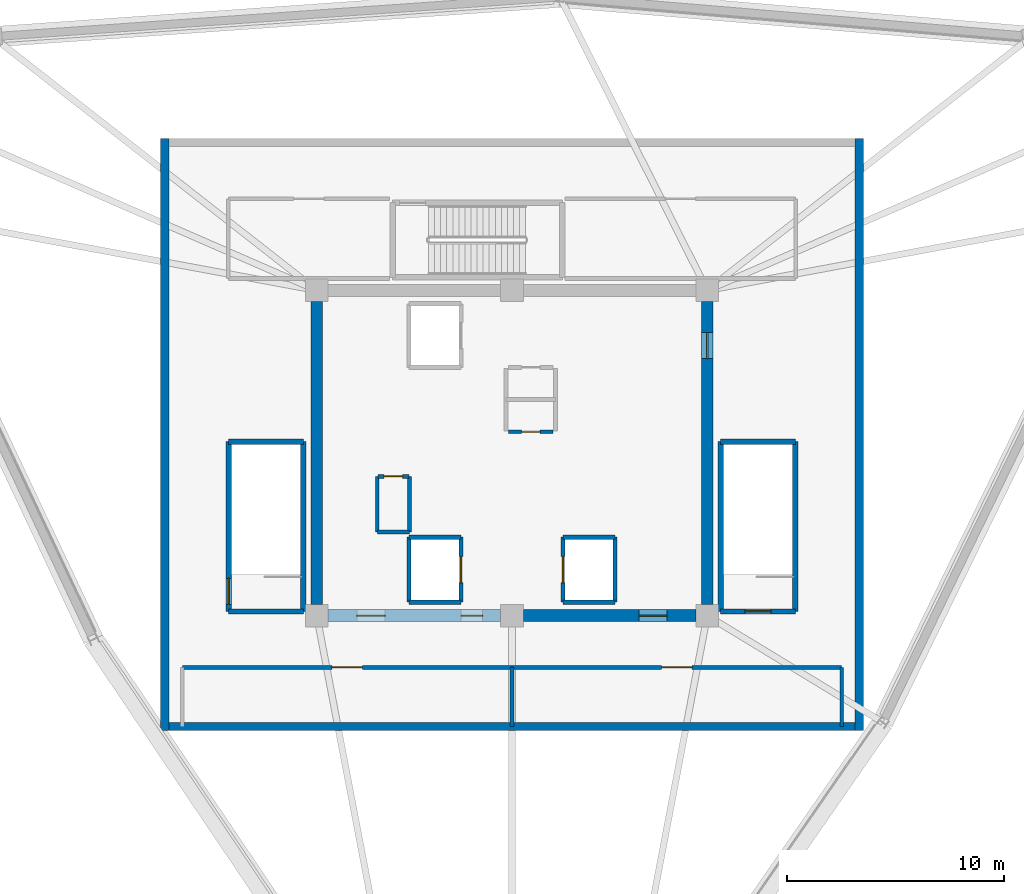
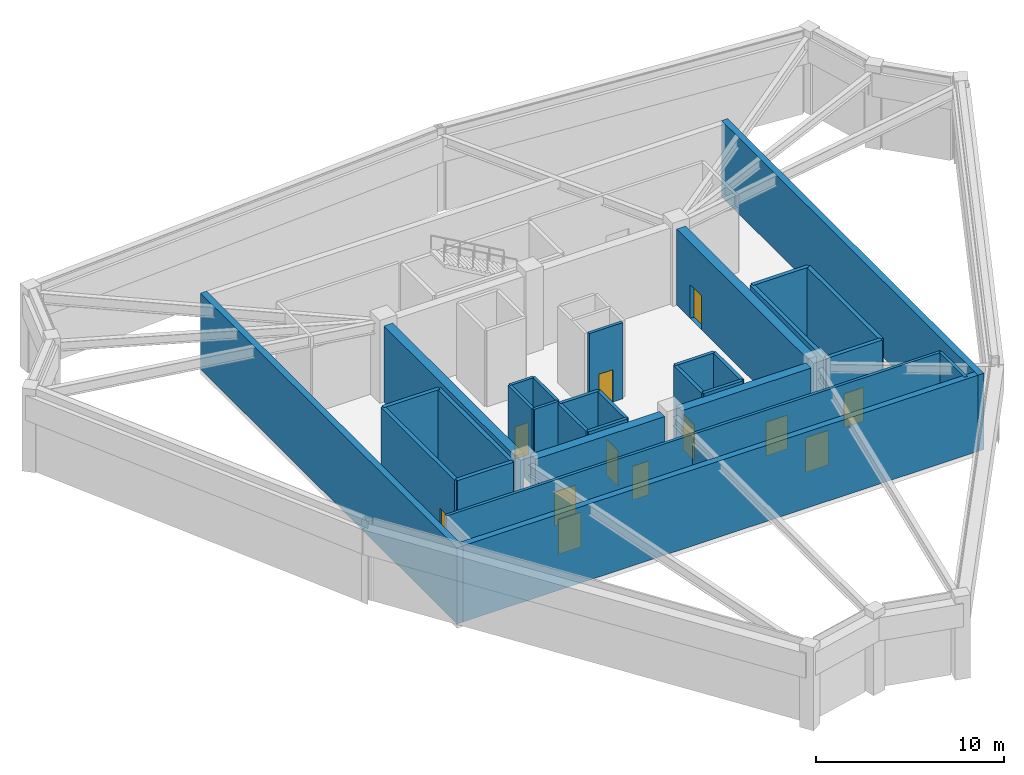
# One storey, part 4 of 6: 32 walls, 12 doors, 12 openings.
"""IFC4 building model written with IfcOpenShell, lengths in metres."""

from ifc_helpers import new_model, si_unit, direction, frame, frame_2d, origin, place, context, subcontext, project, spatial, rectangle, extrude, source, transform, mapped, material, layer, layer_set, type_object, element, fill, save


model = new_model("IFC4")

# Units and contexts
model_context = context("Model", 3, precision=1e-05, world=origin(), true_north=direction((0.0, 1.0)))
body_context = subcontext(model_context, "Body", "Model", "MODEL_VIEW")
ifc_project = project(units=[si_unit("LENGTHUNIT", "METRE"), si_unit("AREAUNIT", "SQUARE_METRE"), si_unit("VOLUMEUNIT", "CUBIC_METRE"), si_unit("PLANEANGLEUNIT", "RADIAN"), si_unit("MASSUNIT", "GRAM", prefix="KILO")], contexts=[model_context])

# Site, building, storey
site_placement = place(None, origin())
site = spatial("IfcSite", under=ifc_project, at=site_placement, CompositionType="ELEMENT")
building_placement = place(site_placement, origin())
building = spatial("IfcBuilding", under=site, at=building_placement, Name="Liaohun Quay Tower", CompositionType="ELEMENT")
storey_placement = place(building_placement, frame((0.0, 0.0, 366.0)))
storey = spatial("IfcBuildingStorey", under=building, at=storey_placement, Name="L94", CompositionType="ELEMENT", Elevation=366.0)

# Wall, opening, door
ifc_material_1 = material(Name="Concrete C50", Category="concrete")
ifc_layer_1 = layer(ifc_material_1, 0.550048828125, Name="Concrete C50", Category="concrete")
ifc_layer_set_1 = layer_set([ifc_layer_1], Name="Concrete C50")
wall_type_1 = type_object("IfcWallType", Name="WAL-COR-Z4", PredefinedType="SHEAR", material=ifc_layer_set_1)
wall_1_placement = place(storey_placement, frame((69.0, 60.97509765625, 0.0), z_axis=(0.0, 0.0, 1.0), x_axis=(0.0, -1.0, 0.0)))
wall_1 = element("IfcWall", 1, at=wall_1_placement, inside=storey, type_object=wall_type_1, Name="L94 Central Core Shear Wall E", PredefinedType="SHEAR", context=body_context, shape_type="SweptSolid", body=[
    extrude(rectangle(XDim=13.9501953125, YDim=0.550048828125, at=frame_2d((6.97509765625, 0.0))), origin(), (0.0, 0.0, 1.0), 4.949951171875),
])
shared_shape_1 = source(origin(), body_context, "Body", "SweptSolid", [
    extrude(rectangle(XDim=1.199951171875, YDim=2.199951171875, at=frame_2d((0.60009765625, 1.10009765625))), frame((0.0, 0.284912109375, 0.0), z_axis=(0.0, -1.0, 0.0), x_axis=(1.0, 0.0, 0.0)), (0.0, 0.0, 1.0), 0.570068359375),
])
opening_1_placement = place(wall_1_placement, frame((1.425048828125, 0.0, 0.0)))
opening_1 = element("IfcOpeningElement", 2, at=opening_1_placement, cuts=wall_1, Name="Opening SD1", PredefinedType="OPENING", context=body_context, shape_type="MappedRepresentation", body=[
    mapped(shared_shape_1, transform((0.0, 0.0, 0.0), x_axis=(1.0, 0.0, 0.0), y_axis=(0.0, 1.0, 0.0), z_axis=(0.0, 0.0, 1.0), scale=1.0)),
])
ifc_material_2 = material(Name="Galvanised steel fire door", Category="steel")
door_type_1 = type_object("IfcDoorType", Name="DOR-STR-1200", OperationType="NOTDEFINED", PredefinedType="DOOR", material=ifc_material_2)
shared_shape_2 = source(origin(), body_context, "Body", "SweptSolid", [
    extrude(rectangle(XDim=1.199951171875, YDim=2.199951171875, at=frame_2d((0.60009765625, 1.10009765625))), frame((0.0, 0.02490234375, 0.0), z_axis=(0.0, -1.0, 0.0), x_axis=(1.0, 0.0, 0.0)), (0.0, 0.0, 1.0), 0.050048828125),
])
door_1_placement = place(opening_1_placement, origin())
door_1 = element("IfcDoor", 3, at=door_1_placement, inside=storey, type_object=door_type_1, Name="L94 North-East Core Lobby Smokeproof Door", OperationType="SINGLE_SWING_LEFT", OverallHeight=2.199951171875, OverallWidth=1.199951171875, PredefinedType="DOOR", context=body_context, shape_type="MappedRepresentation", body=[
    mapped(shared_shape_2, transform((0.0, 0.0, 0.0), x_axis=(1.0, 0.0, 0.0), y_axis=(0.0, 1.0, 0.0), z_axis=(0.0, 0.0, 1.0), scale=1.0)),
])
fill(opening_1, door_1)

wall_2_placement = place(storey_placement, frame((68.47509765625, 46.5, 0.0), z_axis=(0.0, 0.0, 1.0), x_axis=(-1.0, 0.0, 0.0)))
wall_2 = element("IfcWall", 4, at=wall_2_placement, inside=storey, type_object=wall_type_1, Name="L94 Central Core Shear Wall S-E", PredefinedType="SHEAR", context=body_context, shape_type="SweptSolid", body=[
    extrude(rectangle(XDim=7.9501953125, YDim=0.550048828125, at=frame_2d((3.97509765625, 0.0))), origin(), (0.0, 0.0, 1.0), 4.949951171875),
])
shared_shape_3 = source(origin(), body_context, "Body", "SweptSolid", [
    extrude(rectangle(XDim=1.300048828125, YDim=2.199951171875, at=frame_2d((0.64990234375, 1.10009765625))), frame((0.0, 0.284912109375, 0.0), z_axis=(0.0, -1.0, 0.0), x_axis=(1.0, 0.0, 0.0)), (0.0, 0.0, 1.0), 0.570068359375),
])
opening_2_placement = place(wall_2_placement, frame((1.324951171875, 0.0, 0.0)))
opening_2 = element("IfcOpeningElement", 5, at=opening_2_placement, cuts=wall_2, Name="Opening FD1", PredefinedType="OPENING", context=body_context, shape_type="MappedRepresentation", body=[
    mapped(shared_shape_3, transform((0.0, 0.0, 0.0), x_axis=(1.0, 0.0, 0.0), y_axis=(0.0, 1.0, 0.0), z_axis=(0.0, 0.0, 1.0), scale=1.0)),
])
ifc_material_3 = material(Name="Galvanised steel smokeproof fire door", Category="steel")
door_type_2 = type_object("IfcDoorType", Name="DOR-FFL-1300", OperationType="NOTDEFINED", PredefinedType="DOOR", material=ifc_material_3)
shared_shape_4 = source(origin(), body_context, "Body", "SweptSolid", [
    extrude(rectangle(XDim=1.300048828125, YDim=2.199951171875, at=frame_2d((0.64990234375, 1.10009765625))), frame((0.0, 0.02490234375, 0.0), z_axis=(0.0, -1.0, 0.0), x_axis=(1.0, 0.0, 0.0)), (0.0, 0.0, 1.0), 0.050048828125),
])
door_2_placement = place(opening_2_placement, origin())
door_2 = element("IfcDoor", 6, at=door_2_placement, inside=storey, type_object=door_type_2, Name="L94 East Core Lift Lobby Smokeproof Door", OperationType="SINGLE_SWING_LEFT", OverallHeight=2.199951171875, OverallWidth=1.300048828125, PredefinedType="DOOR", context=body_context, shape_type="MappedRepresentation", body=[
    mapped(shared_shape_4, transform((0.0, 0.0, 0.0), x_axis=(1.0, 0.0, 0.0), y_axis=(0.0, 1.0, 0.0), z_axis=(0.0, 0.0, 1.0), scale=1.0)),
])
fill(opening_2, door_2)

# Wall, openings, doors
wall_3_placement = place(storey_placement, frame((59.47509765625, 46.5, 0.0), z_axis=(0.0, 0.0, 1.0), x_axis=(-1.0, 0.0, 0.0)))
wall_3 = element("IfcWall", 7, at=wall_3_placement, inside=storey, type_object=wall_type_1, Name="L94 Central Core Shear Wall S-W", PredefinedType="SHEAR", context=body_context, shape_type="SweptSolid", body=[
    extrude(rectangle(XDim=7.9501953125, YDim=0.550048828125, at=frame_2d((3.97509765625, 0.0))), origin(), (0.0, 0.0, 1.0), 4.949951171875),
])
opening_3_placement = place(wall_3_placement, frame((5.324951171875, 0.0, 0.0)))
opening_3 = element("IfcOpeningElement", 8, at=opening_3_placement, cuts=wall_3, Name="Opening FD1", PredefinedType="OPENING", context=body_context, shape_type="MappedRepresentation", body=[
    mapped(shared_shape_3, transform((0.0, 0.0, 0.0), x_axis=(1.0, 0.0, 0.0), y_axis=(0.0, 1.0, 0.0), z_axis=(0.0, 0.0, 1.0), scale=1.0)),
])
shared_shape_5 = source(origin(), body_context, "Body", "SweptSolid", [
    extrude(rectangle(XDim=1.0, YDim=2.199951171875, at=frame_2d((0.5, 1.10009765625))), frame((0.0, 0.284912109375, 0.0), z_axis=(0.0, -1.0, 0.0), x_axis=(1.0, 0.0, 0.0)), (0.0, 0.0, 1.0), 0.570068359375),
])
opening_4_placement = place(wall_3_placement, frame((0.824951171875, 0.0, 0.0)))
opening_4 = element("IfcOpeningElement", 9, at=opening_4_placement, cuts=wall_3, Name="Opening FD2", PredefinedType="OPENING", context=body_context, shape_type="MappedRepresentation", body=[
    mapped(shared_shape_5, transform((0.0, 0.0, 0.0), x_axis=(1.0, 0.0, 0.0), y_axis=(0.0, 1.0, 0.0), z_axis=(0.0, 0.0, 1.0), scale=1.0)),
])
door_3_placement = place(opening_3_placement, origin())
door_3 = element("IfcDoor", 10, at=door_3_placement, inside=storey, type_object=door_type_2, Name="L94 West Core Lift Lobby Smokeproof Door", OperationType="SINGLE_SWING_RIGHT", OverallHeight=2.199951171875, OverallWidth=1.300048828125, PredefinedType="DOOR", context=body_context, shape_type="MappedRepresentation", body=[
    mapped(shared_shape_4, transform((0.0, 0.0, 0.0), x_axis=(1.0, 0.0, 0.0), y_axis=(0.0, 1.0, 0.0), z_axis=(0.0, 0.0, 1.0), scale=1.0)),
])
fill(opening_3, door_3)
ifc_material_4 = material(Name="Galvanised steel smokeproof lobby fire door", Category="steel")
door_type_3 = type_object("IfcDoorType", Name="DOR-FFL-1000", OperationType="NOTDEFINED", PredefinedType="DOOR", material=ifc_material_4)
shared_shape_6 = source(origin(), body_context, "Body", "SweptSolid", [
    extrude(rectangle(XDim=1.0, YDim=2.199951171875, at=frame_2d((0.5, 1.10009765625))), frame((0.0, 0.02490234375, 0.0), z_axis=(0.0, -1.0, 0.0), x_axis=(1.0, 0.0, 0.0)), (0.0, 0.0, 1.0), 0.050048828125),
])
door_4_placement = place(opening_4_placement, origin())
door_4 = element("IfcDoor", 11, at=door_4_placement, inside=storey, type_object=door_type_3, Name="L94 South Firefighting Lobby Smokeproof Door", OperationType="SINGLE_SWING_LEFT", OverallHeight=2.199951171875, OverallWidth=1.0, PredefinedType="DOOR", context=body_context, shape_type="MappedRepresentation", body=[
    mapped(shared_shape_6, transform((0.0, 0.0, 0.0), x_axis=(1.0, 0.0, 0.0), y_axis=(0.0, 1.0, 0.0), z_axis=(0.0, 0.0, 1.0), scale=1.0)),
])
fill(opening_4, door_4)

# Walls
wall_4_placement = place(storey_placement, frame((51.0, 47.02490234375, 0.0), z_axis=(0.0, 0.0, 1.0), x_axis=(0.0, 1.0, 0.0)))
element("IfcWall", 12, at=wall_4_placement, inside=storey, type_object=wall_type_1, Name="L94 Central Core Shear Wall W", PredefinedType="SHEAR", context=body_context, shape_type="SweptSolid", body=[
    extrude(rectangle(XDim=13.9501953125, YDim=0.550048828125, at=frame_2d((6.97509765625, 0.0))), origin(), (0.0, 0.0, 1.0), 4.949951171875),
])
ifc_material_5 = material(Name="Precast concrete C50 insulated sandwich", Category="concrete")
ifc_layer_2 = layer(ifc_material_5, 0.3798828125, Name="Precast concrete C50 insulated sandwich", Category="concrete")
ifc_layer_set_2 = layer_set([ifc_layer_2], Name="Precast concrete C50 insulated sandwich")
wall_type_2 = type_object("IfcWallType", Name="WAL-EXT-Z34", PredefinedType="SOLIDWALL", material=ifc_layer_set_2)
for number, where, z_axis, x_axis, name in (
    (13, (43.989990234375, 41.199951171875, 0.0), (0.0, 0.0, 1.0), (0.0, 1.0, 0.0), "L94 Crown Mechanical House Wall W"),
    (14, (76.010009765625, 68.5, 0.0), (0.0, 0.0, 1.0), (0.0, -1.0, 0.0), "L94 Crown Mechanical House Wall E"),
):
    element("IfcWall", number, at=place(storey_placement, frame(where, z_axis=z_axis, x_axis=x_axis)), inside=storey, type_object=wall_type_2, Name=name, PredefinedType="SOLIDWALL", context=body_context, shape_type="SweptSolid", body=[
        extrude(rectangle(XDim=27.300048828125, YDim=0.3798828125, at=frame_2d((13.64990234375, 0.0))), origin(), (0.0, 0.0, 1.0), 4.949951171875),
    ])
wall_5_placement = place(storey_placement, frame((75.820068359375, 41.389892578125, 0.0), z_axis=(0.0, 0.0, 1.0), x_axis=(-1.0, 0.0, 0.0)))
element("IfcWall", 15, at=wall_5_placement, inside=storey, type_object=wall_type_2, Name="L94 Crown Mechanical House Wall S", PredefinedType="SOLIDWALL", context=body_context, shape_type="SweptSolid", body=[
    extrude(rectangle(XDim=31.64013671875, YDim=0.3798828125, at=frame_2d((15.820068359375, 0.0))), origin(), (0.0, 0.0, 1.0), 4.949951171875),
])

# Wall, opening, door
ifc_material_6 = material(Name="Autoclaved aerated concrete blockwork", Category="masonry")
ifc_layer_3 = layer(ifc_material_6, 0.179931640625, Name="Autoclaved aerated concrete blockwork", Category="masonry")
ifc_layer_set_3 = layer_set([ifc_layer_3], Name="Autoclaved aerated concrete blockwork")
wall_type_3 = type_object("IfcWallType", Name="WAL-PRT-COR", PredefinedType="PARTITIONING", material=ifc_layer_set_3)
wall_6_placement = place(storey_placement, frame((59.840087890625, 54.97998046875, 0.0), z_axis=(0.0, 0.0, 1.0), x_axis=(1.0, 0.0, 0.0)))
wall_6 = element("IfcWall", 16, at=wall_6_placement, inside=storey, type_object=wall_type_3, Name="L94 Interior Partition Wall 001", PredefinedType="PARTITIONING", context=body_context, shape_type="SweptSolid", body=[
    extrude(rectangle(XDim=2.059814453125, YDim=0.179931640625, at=frame_2d((1.02978515625, 0.0))), origin(), (0.0, 0.0, 1.0), 4.949951171875),
])
shared_shape_7 = source(origin(), body_context, "Body", "SweptSolid", [
    extrude(rectangle(XDim=0.85009765625, YDim=2.10009765625, at=frame_2d((0.425048828125, 1.050048828125))), frame((0.0, 0.099853515625, 0.0), z_axis=(0.0, -1.0, 0.0), x_axis=(1.0, 0.0, 0.0)), (0.0, 0.0, 1.0), 0.199951171875),
])
opening_5_placement = place(wall_6_placement, frame((0.60498046875, 0.0, 0.0)))
opening_5 = element("IfcOpeningElement", 17, at=opening_5_placement, cuts=wall_6, Name="Opening AD1", PredefinedType="OPENING", context=body_context, shape_type="MappedRepresentation", body=[
    mapped(shared_shape_7, transform((0.0, 0.0, 0.0), x_axis=(1.0, 0.0, 0.0), y_axis=(0.0, 1.0, 0.0), z_axis=(0.0, 0.0, 1.0), scale=1.0)),
])
ifc_material_7 = material(Name="Steel riser inspection fire door", Category="steel")
door_type_4 = type_object("IfcDoorType", Name="DOR-SHF-850", OperationType="NOTDEFINED", PredefinedType="DOOR", material=ifc_material_7)
shared_shape_8 = source(origin(), body_context, "Body", "SweptSolid", [
    extrude(rectangle(XDim=0.85009765625, YDim=2.10009765625, at=frame_2d((0.425048828125, 1.050048828125))), frame((0.0, 0.02490234375, 0.0), z_axis=(0.0, -1.0, 0.0), x_axis=(1.0, 0.0, 0.0)), (0.0, 0.0, 1.0), 0.050048828125),
])
door_5_placement = place(opening_5_placement, origin())
door_5 = element("IfcDoor", 18, at=door_5_placement, inside=storey, type_object=door_type_4, Name="L94 Electrical Riser Room Door", OperationType="SINGLE_SWING_LEFT", OverallHeight=2.10009765625, OverallWidth=0.85009765625, PredefinedType="DOOR", context=body_context, shape_type="MappedRepresentation", body=[
    mapped(shared_shape_8, transform((0.0, 0.0, 0.0), x_axis=(1.0, 0.0, 0.0), y_axis=(0.0, 1.0, 0.0), z_axis=(0.0, 0.0, 1.0), scale=1.0)),
])
fill(opening_5, door_5)

wall_7_placement = place(storey_placement, frame((53.820068359375, 52.919921875, 0.0), z_axis=(0.0, 0.0, 1.0), x_axis=(1.0, 0.0, 0.0)))
wall_7 = element("IfcWall", 19, at=wall_7_placement, inside=storey, type_object=wall_type_3, Name="L94 Interior Partition Wall 003", PredefinedType="PARTITIONING", context=body_context, shape_type="SweptSolid", body=[
    extrude(rectangle(XDim=1.429931640625, YDim=0.179931640625, at=frame_2d((0.71484375, 0.0))), origin(), (0.0, 0.0, 1.0), 4.949951171875),
])
opening_6_placement = place(wall_7_placement, frame((0.2900390625, 0.0, 0.0)))
opening_6 = element("IfcOpeningElement", 20, at=opening_6_placement, cuts=wall_7, Name="Opening AD1", PredefinedType="OPENING", context=body_context, shape_type="MappedRepresentation", body=[
    mapped(shared_shape_7, transform((0.0, 0.0, 0.0), x_axis=(1.0, 0.0, 0.0), y_axis=(0.0, 1.0, 0.0), z_axis=(0.0, 0.0, 1.0), scale=1.0)),
])
door_6_placement = place(opening_6_placement, origin())
door_6 = element("IfcDoor", 21, at=door_6_placement, inside=storey, type_object=door_type_4, Name="L94 Core Fire Hose and Riser Closet Door", OperationType="SINGLE_SWING_LEFT", OverallHeight=2.10009765625, OverallWidth=0.85009765625, PredefinedType="DOOR", context=body_context, shape_type="MappedRepresentation", body=[
    mapped(shared_shape_8, transform((0.0, 0.0, 0.0), x_axis=(1.0, 0.0, 0.0), y_axis=(0.0, 1.0, 0.0), z_axis=(0.0, 0.0, 1.0), scale=1.0)),
])
fill(opening_6, door_6)

wall_8_placement = place(storey_placement, frame((44.800048828125, 44.1201171875, 0.0), z_axis=(0.0, 0.0, 1.0), x_axis=(1.0, 0.0, 0.0)))
wall_8 = element("IfcWall", 22, at=wall_8_placement, inside=storey, type_object=wall_type_3, Name="L94 Interior Partition Wall 004", PredefinedType="PARTITIONING", context=body_context, shape_type="SweptSolid", body=[
    extrude(rectangle(XDim=15.199951171875, YDim=0.179931640625, at=frame_2d((7.60009765625, 0.0))), origin(), (0.0, 0.0, 1.0), 4.949951171875),
])
shared_shape_9 = source(origin(), body_context, "Body", "SweptSolid", [
    extrude(rectangle(XDim=1.39990234375, YDim=2.25, at=frame_2d((0.699951171875, 1.125))), frame((0.0, 0.099853515625, 0.0), z_axis=(0.0, -1.0, 0.0), x_axis=(1.0, 0.0, 0.0)), (0.0, 0.0, 1.0), 0.199951171875),
])
opening_7_placement = place(wall_8_placement, frame((6.89990234375, 0.0, 0.0)))
opening_7 = element("IfcOpeningElement", 23, at=opening_7_placement, cuts=wall_8, Name="Opening MD1", PredefinedType="OPENING", context=body_context, shape_type="MappedRepresentation", body=[
    mapped(shared_shape_9, transform((0.0, 0.0, 0.0), x_axis=(1.0, 0.0, 0.0), y_axis=(0.0, 1.0, 0.0), z_axis=(0.0, 0.0, 1.0), scale=1.0)),
])
ifc_material_8 = material(Name="Insulated steel plant room door", Category="steel")
door_type_5 = type_object("IfcDoorType", Name="DOR-MEP-1400", OperationType="DOUBLE_DOOR_SINGLE_SWING", PredefinedType="DOOR", material=ifc_material_8)
shared_shape_10 = source(origin(), body_context, "Body", "SweptSolid", [
    extrude(rectangle(XDim=1.39990234375, YDim=2.25, at=frame_2d((0.699951171875, 1.125))), frame((0.0, 0.02490234375, 0.0), z_axis=(0.0, -1.0, 0.0), x_axis=(1.0, 0.0, 0.0)), (0.0, 0.0, 1.0), 0.050048828125),
])
door_7_placement = place(opening_7_placement, origin())
door_7 = element("IfcDoor", 24, at=door_7_placement, inside=storey, type_object=door_type_5, Name="L94 Pendulum Tuned Mass Damper Mechanical Plant Room Door", OperationType="DOUBLE_DOOR_SINGLE_SWING", OverallHeight=2.25, OverallWidth=1.39990234375, PredefinedType="DOOR", context=body_context, shape_type="MappedRepresentation", body=[
    mapped(shared_shape_10, transform((0.0, 0.0, 0.0), x_axis=(1.0, 0.0, 0.0), y_axis=(0.0, 1.0, 0.0), z_axis=(0.0, 0.0, 1.0), scale=1.0)),
])
fill(opening_7, door_7)

wall_9_placement = place(storey_placement, frame((60.0, 44.1201171875, 0.0), z_axis=(0.0, 0.0, 1.0), x_axis=(1.0, 0.0, 0.0)))
wall_9 = element("IfcWall", 25, at=wall_9_placement, inside=storey, type_object=wall_type_3, Name="L94 Interior Partition Wall 005", PredefinedType="PARTITIONING", context=body_context, shape_type="SweptSolid", body=[
    extrude(rectangle(XDim=15.199951171875, YDim=0.179931640625, at=frame_2d((7.60009765625, 0.0))), origin(), (0.0, 0.0, 1.0), 4.949951171875),
])
opening_8_placement = place(wall_9_placement, frame((6.89990234375, 0.0, 0.0)))
opening_8 = element("IfcOpeningElement", 26, at=opening_8_placement, cuts=wall_9, Name="Opening MD1", PredefinedType="OPENING", context=body_context, shape_type="MappedRepresentation", body=[
    mapped(shared_shape_9, transform((0.0, 0.0, 0.0), x_axis=(1.0, 0.0, 0.0), y_axis=(0.0, 1.0, 0.0), z_axis=(0.0, 0.0, 1.0), scale=1.0)),
])
door_8_placement = place(opening_8_placement, origin())
door_8 = element("IfcDoor", 27, at=door_8_placement, inside=storey, type_object=door_type_5, Name="L94 High-Zone Exhaust and Smoke Fan Room Door", OperationType="DOUBLE_DOOR_SINGLE_SWING", OverallHeight=2.25, OverallWidth=1.39990234375, PredefinedType="DOOR", context=body_context, shape_type="MappedRepresentation", body=[
    mapped(shared_shape_10, transform((0.0, 0.0, 0.0), x_axis=(1.0, 0.0, 0.0), y_axis=(0.0, 1.0, 0.0), z_axis=(0.0, 0.0, 1.0), scale=1.0)),
])
fill(opening_8, door_8)

# Walls
wall_10_placement = place(storey_placement, frame((53.7900390625, 50.35009765625, 0.0), z_axis=(0.0, 0.0, 1.0), x_axis=(0.0, 1.0, 0.0)))
element("IfcWall", 28, at=wall_10_placement, inside=storey, type_object=wall_type_3, Name="L94 Interior Partition Wall 011", PredefinedType="PARTITIONING", context=body_context, shape_type="SweptSolid", body=[
    extrude(rectangle(XDim=2.56982421875, YDim=0.179931640625, at=frame_2d((1.284912109375, 0.0))), origin(), (0.0, 0.0, 1.0), 4.949951171875),
])
wall_11_placement = place(storey_placement, frame((53.7900390625, 50.35009765625, 0.0), z_axis=(0.0, 0.0, 1.0), x_axis=(1.0, 0.0, 0.0)))
element("IfcWall", 29, at=wall_11_placement, inside=storey, type_object=wall_type_3, Name="L94 Interior Partition Wall 012", PredefinedType="PARTITIONING", context=body_context, shape_type="SweptSolid", body=[
    extrude(rectangle(XDim=1.489990234375, YDim=0.179931640625, at=frame_2d((0.7451171875, 0.0))), origin(), (0.0, 0.0, 1.0), 4.949951171875),
])
wall_12_placement = place(storey_placement, frame((55.280029296875, 50.35009765625, 0.0), z_axis=(0.0, 0.0, 1.0), x_axis=(0.0, 1.0, 0.0)))
element("IfcWall", 30, at=wall_12_placement, inside=storey, type_object=wall_type_3, Name="L94 Interior Partition Wall 013", PredefinedType="PARTITIONING", context=body_context, shape_type="SweptSolid", body=[
    extrude(rectangle(XDim=2.56982421875, YDim=0.179931640625, at=frame_2d((1.284912109375, 0.0))), origin(), (0.0, 0.0, 1.0), 4.949951171875),
])
wall_13_placement = place(storey_placement, frame((60.0, 41.39990234375, 0.0), z_axis=(0.0, 0.0, 1.0), x_axis=(0.0, 1.0, 0.0)))
element("IfcWall", 31, at=wall_13_placement, inside=storey, type_object=wall_type_3, Name="L94 Interior Partition Wall 014", PredefinedType="PARTITIONING", context=body_context, shape_type="SweptSolid", body=[
    extrude(rectangle(XDim=2.72021484375, YDim=0.179931640625, at=frame_2d((1.360107421875, 0.0))), origin(), (0.0, 0.0, 1.0), 4.346923828125),
])
wall_14_placement = place(storey_placement, frame((75.199951171875, 41.39990234375, 0.0), z_axis=(0.0, 0.0, 1.0), x_axis=(0.0, 1.0, 0.0)))
element("IfcWall", 32, at=wall_14_placement, inside=storey, type_object=wall_type_3, Name="L94 Interior Partition Wall 018", PredefinedType="PARTITIONING", context=body_context, shape_type="SweptSolid", body=[
    extrude(rectangle(XDim=2.72021484375, YDim=0.179931640625, at=frame_2d((1.360107421875, 0.0))), origin(), (0.0, 0.0, 1.0), 4.949951171875),
])
ifc_layer_4 = layer(ifc_material_1, 0.239990234375, Name="Concrete C50", Category="concrete")
ifc_layer_set_4 = layer_set([ifc_layer_4], Name="Concrete C50")
wall_type_4 = type_object("IfcWallType", Name="WAL-SHF-200", PredefinedType="SOLIDWALL", material=ifc_layer_set_4)
wall_15_placement = place(storey_placement, frame((46.93994140625, 46.699951171875, 0.0), z_axis=(0.0, 0.0, 1.0), x_axis=(1.0, 0.0, 0.0)))
element("IfcWall", 33, at=wall_15_placement, inside=storey, type_object=wall_type_4, Name="L94 Stairwell ST-1 Structural Core Wall S", PredefinedType="SOLIDWALL", context=body_context, shape_type="SweptSolid", body=[
    extrude(rectangle(XDim=3.43994140625, YDim=0.239990234375, at=frame_2d((1.719970703125, 0.0))), origin(), (0.0, 0.0, 1.0), 4.949951171875),
])
wall_16_placement = place(storey_placement, frame((50.3798828125, 46.699951171875, 0.0), z_axis=(0.0, 0.0, 1.0), x_axis=(0.0, 1.0, 0.0)))
element("IfcWall", 34, at=wall_16_placement, inside=storey, type_object=wall_type_4, Name="L94 Stairwell ST-1 Structural Core Wall E", PredefinedType="SOLIDWALL", context=body_context, shape_type="SweptSolid", body=[
    extrude(rectangle(XDim=7.820068359375, YDim=0.239990234375, at=frame_2d((3.91015625, 0.0))), origin(), (0.0, 0.0, 1.0), 4.949951171875),
])
wall_17_placement = place(storey_placement, frame((50.3798828125, 54.52001953125, 0.0), z_axis=(0.0, 0.0, 1.0), x_axis=(-1.0, 0.0, 0.0)))
element("IfcWall", 35, at=wall_17_placement, inside=storey, type_object=wall_type_4, Name="L94 Stairwell ST-1 Structural Core Wall N", PredefinedType="SOLIDWALL", context=body_context, shape_type="SweptSolid", body=[
    extrude(rectangle(XDim=3.43994140625, YDim=0.239990234375, at=frame_2d((1.719970703125, 0.0))), origin(), (0.0, 0.0, 1.0), 4.949951171875),
])

# Wall, opening, door
wall_18_placement = place(storey_placement, frame((46.93994140625, 54.52001953125, 0.0), z_axis=(0.0, 0.0, 1.0), x_axis=(0.0, -1.0, 0.0)))
wall_18 = element("IfcWall", 36, at=wall_18_placement, inside=storey, type_object=wall_type_4, Name="L94 Stairwell ST-1 Structural Core Wall W", PredefinedType="SOLIDWALL", context=body_context, shape_type="SweptSolid", body=[
    extrude(rectangle(XDim=7.820068359375, YDim=0.239990234375, at=frame_2d((3.91015625, 0.0))), origin(), (0.0, 0.0, 1.0), 4.949951171875),
])
shared_shape_11 = source(origin(), body_context, "Body", "SweptSolid", [
    extrude(rectangle(XDim=1.199951171875, YDim=2.199951171875, at=frame_2d((0.60009765625, 1.10009765625))), frame((0.0, 0.1298828125, 0.0), z_axis=(0.0, -1.0, 0.0), x_axis=(1.0, 0.0, 0.0)), (0.0, 0.0, 1.0), 0.260009765625),
])
opening_9_placement = place(wall_18_placement, frame((6.300048828125, 0.0, 0.0)))
opening_9 = element("IfcOpeningElement", 37, at=opening_9_placement, cuts=wall_18, Name="Opening SD1", PredefinedType="OPENING", context=body_context, shape_type="MappedRepresentation", body=[
    mapped(shared_shape_11, transform((0.0, 0.0, 0.0), x_axis=(1.0, 0.0, 0.0), y_axis=(0.0, 1.0, 0.0), z_axis=(0.0, 0.0, 1.0), scale=1.0)),
])
door_9_placement = place(opening_9_placement, origin())
door_9 = element("IfcDoor", 38, at=door_9_placement, inside=storey, type_object=door_type_1, Name="L94 Protected Stair ST-1 Fire Door", OperationType="SINGLE_SWING_LEFT", OverallHeight=2.199951171875, OverallWidth=1.199951171875, PredefinedType="DOOR", context=body_context, shape_type="MappedRepresentation", body=[
    mapped(shared_shape_2, transform((0.0, 0.0, 0.0), x_axis=(1.0, 0.0, 0.0), y_axis=(0.0, 1.0, 0.0), z_axis=(0.0, 0.0, 1.0), scale=1.0)),
])
fill(opening_9, door_9)

wall_19_placement = place(storey_placement, frame((69.6201171875, 46.699951171875, 0.0), z_axis=(0.0, 0.0, 1.0), x_axis=(1.0, 0.0, 0.0)))
wall_19 = element("IfcWall", 39, at=wall_19_placement, inside=storey, type_object=wall_type_4, Name="L94 Stairwell ST-2 Structural Core Wall S", PredefinedType="SOLIDWALL", context=body_context, shape_type="SweptSolid", body=[
    extrude(rectangle(XDim=3.43994140625, YDim=0.239990234375, at=frame_2d((1.719970703125, 0.0))), origin(), (0.0, 0.0, 1.0), 4.949951171875),
])
opening_10_placement = place(wall_19_placement, frame((1.1201171875, 0.0, 0.0)))
opening_10 = element("IfcOpeningElement", 40, at=opening_10_placement, cuts=wall_19, Name="Opening SD1", PredefinedType="OPENING", context=body_context, shape_type="MappedRepresentation", body=[
    mapped(shared_shape_11, transform((0.0, 0.0, 0.0), x_axis=(1.0, 0.0, 0.0), y_axis=(0.0, 1.0, 0.0), z_axis=(0.0, 0.0, 1.0), scale=1.0)),
])
door_10_placement = place(opening_10_placement, origin())
door_10 = element("IfcDoor", 41, at=door_10_placement, inside=storey, type_object=door_type_1, Name="L94 Protected Stair ST-2 Fire Door", OperationType="SINGLE_SWING_RIGHT", OverallHeight=2.199951171875, OverallWidth=1.199951171875, PredefinedType="DOOR", context=body_context, shape_type="MappedRepresentation", body=[
    mapped(shared_shape_2, transform((0.0, 0.0, 0.0), x_axis=(1.0, 0.0, 0.0), y_axis=(0.0, 1.0, 0.0), z_axis=(0.0, 0.0, 1.0), scale=1.0)),
])
fill(opening_10, door_10)

# Walls
wall_20_placement = place(storey_placement, frame((73.06005859375, 46.699951171875, 0.0), z_axis=(0.0, 0.0, 1.0), x_axis=(0.0, 1.0, 0.0)))
element("IfcWall", 42, at=wall_20_placement, inside=storey, type_object=wall_type_4, Name="L94 Stairwell ST-2 Structural Core Wall E", PredefinedType="SOLIDWALL", context=body_context, shape_type="SweptSolid", body=[
    extrude(rectangle(XDim=7.820068359375, YDim=0.239990234375, at=frame_2d((3.91015625, 0.0))), origin(), (0.0, 0.0, 1.0), 4.949951171875),
])
wall_21_placement = place(storey_placement, frame((73.06005859375, 54.52001953125, 0.0), z_axis=(0.0, 0.0, 1.0), x_axis=(-1.0, 0.0, 0.0)))
element("IfcWall", 43, at=wall_21_placement, inside=storey, type_object=wall_type_4, Name="L94 Stairwell ST-2 Structural Core Wall N", PredefinedType="SOLIDWALL", context=body_context, shape_type="SweptSolid", body=[
    extrude(rectangle(XDim=3.43994140625, YDim=0.239990234375, at=frame_2d((1.719970703125, 0.0))), origin(), (0.0, 0.0, 1.0), 4.949951171875),
])
wall_22_placement = place(storey_placement, frame((69.6201171875, 54.52001953125, 0.0), z_axis=(0.0, 0.0, 1.0), x_axis=(0.0, -1.0, 0.0)))
element("IfcWall", 44, at=wall_22_placement, inside=storey, type_object=wall_type_4, Name="L94 Stairwell ST-2 Structural Core Wall W", PredefinedType="SOLIDWALL", context=body_context, shape_type="SweptSolid", body=[
    extrude(rectangle(XDim=7.820068359375, YDim=0.239990234375, at=frame_2d((3.91015625, 0.0))), origin(), (0.0, 0.0, 1.0), 4.949951171875),
])
wall_23_placement = place(storey_placement, frame((55.25, 47.1201171875, 0.0), z_axis=(0.0, 0.0, 1.0), x_axis=(1.0, 0.0, 0.0)))
element("IfcWall", 45, at=wall_23_placement, inside=storey, type_object=wall_type_4, Name="L94 Lift FF-01 Hoistway Wall S", PredefinedType="SOLIDWALL", context=body_context, shape_type="SweptSolid", body=[
    extrude(rectangle(XDim=2.39990234375, YDim=0.199951171875, at=frame_2d((1.199951171875, 0.0))), origin(), (0.0, 0.0, 1.0), 4.949951171875),
])

# Wall, opening, door
wall_24_placement = place(storey_placement, frame((57.64990234375, 47.1201171875, 0.0), z_axis=(0.0, 0.0, 1.0), x_axis=(0.0, 1.0, 0.0)))
wall_24 = element("IfcWall", 46, at=wall_24_placement, inside=storey, type_object=wall_type_4, Name="L94 Lift FF-01 Hoistway Wall E", PredefinedType="SOLIDWALL", context=body_context, shape_type="SweptSolid", body=[
    extrude(rectangle(XDim=3.0, YDim=0.199951171875, at=frame_2d((1.5, 0.0))), origin(), (0.0, 0.0, 1.0), 4.949951171875),
])
shared_shape_12 = source(origin(), body_context, "Body", "SweptSolid", [
    extrude(rectangle(XDim=1.199951171875, YDim=2.300048828125, at=frame_2d((0.60009765625, 1.14990234375))), frame((0.0, 0.10986328125, 0.0), z_axis=(0.0, -1.0, 0.0), x_axis=(1.0, 0.0, 0.0)), (0.0, 0.0, 1.0), 0.219970703125),
])
opening_11_placement = place(wall_24_placement, frame((0.89990234375, 0.0, 0.0)))
opening_11 = element("IfcOpeningElement", 47, at=opening_11_placement, cuts=wall_24, Name="Opening LD2", PredefinedType="OPENING", context=body_context, shape_type="MappedRepresentation", body=[
    mapped(shared_shape_12, transform((0.0, 0.0, 0.0), x_axis=(1.0, 0.0, 0.0), y_axis=(0.0, 1.0, 0.0), z_axis=(0.0, 0.0, 1.0), scale=1.0)),
])
ifc_material_9 = material(Name="Brushed stainless steel stretcher landing door", Category="steel")
door_type_6 = type_object("IfcDoorType", Name="DOR-LFT-1200", OperationType="SLIDING_TO_LEFT", PredefinedType="DOOR", material=ifc_material_9)
shared_shape_13 = source(origin(), body_context, "Body", "SweptSolid", [
    extrude(rectangle(XDim=1.199951171875, YDim=2.300048828125, at=frame_2d((0.60009765625, 1.14990234375))), frame((0.0, 0.02490234375, 0.0), z_axis=(0.0, -1.0, 0.0), x_axis=(1.0, 0.0, 0.0)), (0.0, 0.0, 1.0), 0.050048828125),
])
door_11_placement = place(opening_11_placement, origin())
door_11 = element("IfcDoor", 48, at=door_11_placement, inside=storey, type_object=door_type_6, Name="L94 Lift FF-01 Sliding Landing Door", OperationType="SLIDING_TO_LEFT", OverallHeight=2.300048828125, OverallWidth=1.199951171875, PredefinedType="DOOR", context=body_context, shape_type="MappedRepresentation", body=[
    mapped(shared_shape_13, transform((0.0, 0.0, 0.0), x_axis=(1.0, 0.0, 0.0), y_axis=(0.0, 1.0, 0.0), z_axis=(0.0, 0.0, 1.0), scale=1.0)),
])
fill(opening_11, door_11)

# Walls
wall_25_placement = place(storey_placement, frame((57.64990234375, 50.1201171875, 0.0), z_axis=(0.0, 0.0, 1.0), x_axis=(-1.0, 0.0, 0.0)))
element("IfcWall", 49, at=wall_25_placement, inside=storey, type_object=wall_type_4, Name="L94 Lift FF-01 Hoistway Wall N", PredefinedType="SOLIDWALL", context=body_context, shape_type="SweptSolid", body=[
    extrude(rectangle(XDim=2.39990234375, YDim=0.199951171875, at=frame_2d((1.199951171875, 0.0))), origin(), (0.0, 0.0, 1.0), 4.949951171875),
])
wall_26_placement = place(storey_placement, frame((55.25, 50.1201171875, 0.0), z_axis=(0.0, 0.0, 1.0), x_axis=(0.0, -1.0, 0.0)))
element("IfcWall", 50, at=wall_26_placement, inside=storey, type_object=wall_type_4, Name="L94 Lift FF-01 Hoistway Wall W", PredefinedType="SOLIDWALL", context=body_context, shape_type="SweptSolid", body=[
    extrude(rectangle(XDim=3.0, YDim=0.199951171875, at=frame_2d((1.5, 0.0))), origin(), (0.0, 0.0, 1.0), 4.949951171875),
])
wall_27_placement = place(storey_placement, frame((62.35009765625, 47.1201171875, 0.0), z_axis=(0.0, 0.0, 1.0), x_axis=(1.0, 0.0, 0.0)))
element("IfcWall", 51, at=wall_27_placement, inside=storey, type_object=wall_type_4, Name="L94 Lift FF-02 Hoistway Wall S", PredefinedType="SOLIDWALL", context=body_context, shape_type="SweptSolid", body=[
    extrude(rectangle(XDim=2.39990234375, YDim=0.199951171875, at=frame_2d((1.199951171875, 0.0))), origin(), (0.0, 0.0, 1.0), 4.949951171875),
])
wall_28_placement = place(storey_placement, frame((64.75, 47.1201171875, 0.0), z_axis=(0.0, 0.0, 1.0), x_axis=(0.0, 1.0, 0.0)))
element("IfcWall", 52, at=wall_28_placement, inside=storey, type_object=wall_type_4, Name="L94 Lift FF-02 Hoistway Wall E", PredefinedType="SOLIDWALL", context=body_context, shape_type="SweptSolid", body=[
    extrude(rectangle(XDim=3.0, YDim=0.199951171875, at=frame_2d((1.5, 0.0))), origin(), (0.0, 0.0, 1.0), 4.949951171875),
])
wall_29_placement = place(storey_placement, frame((64.75, 50.1201171875, 0.0), z_axis=(0.0, 0.0, 1.0), x_axis=(-1.0, 0.0, 0.0)))
element("IfcWall", 53, at=wall_29_placement, inside=storey, type_object=wall_type_4, Name="L94 Lift FF-02 Hoistway Wall N", PredefinedType="SOLIDWALL", context=body_context, shape_type="SweptSolid", body=[
    extrude(rectangle(XDim=2.39990234375, YDim=0.199951171875, at=frame_2d((1.199951171875, 0.0))), origin(), (0.0, 0.0, 1.0), 4.949951171875),
])

# Wall, opening, door
wall_30_placement = place(storey_placement, frame((62.35009765625, 50.1201171875, 0.0), z_axis=(0.0, 0.0, 1.0), x_axis=(0.0, -1.0, 0.0)))
wall_30 = element("IfcWall", 54, at=wall_30_placement, inside=storey, type_object=wall_type_4, Name="L94 Lift FF-02 Hoistway Wall W", PredefinedType="SOLIDWALL", context=body_context, shape_type="SweptSolid", body=[
    extrude(rectangle(XDim=3.0, YDim=0.199951171875, at=frame_2d((1.5, 0.0))), origin(), (0.0, 0.0, 1.0), 4.949951171875),
])
opening_12_placement = place(wall_30_placement, frame((0.89990234375, 0.0, 0.0)))
opening_12 = element("IfcOpeningElement", 55, at=opening_12_placement, cuts=wall_30, Name="Opening LD2", PredefinedType="OPENING", context=body_context, shape_type="MappedRepresentation", body=[
    mapped(shared_shape_12, transform((0.0, 0.0, 0.0), x_axis=(1.0, 0.0, 0.0), y_axis=(0.0, 1.0, 0.0), z_axis=(0.0, 0.0, 1.0), scale=1.0)),
])
door_12_placement = place(opening_12_placement, origin())
door_12 = element("IfcDoor", 56, at=door_12_placement, inside=storey, type_object=door_type_6, Name="L94 Lift FF-02 Sliding Landing Door", OperationType="SLIDING_TO_LEFT", OverallHeight=2.300048828125, OverallWidth=1.199951171875, PredefinedType="DOOR", context=body_context, shape_type="MappedRepresentation", body=[
    mapped(shared_shape_13, transform((0.0, 0.0, 0.0), x_axis=(1.0, 0.0, 0.0), y_axis=(0.0, 1.0, 0.0), z_axis=(0.0, 0.0, 1.0), scale=1.0)),
])
fill(opening_12, door_12)

save(model, "model.ifc")
